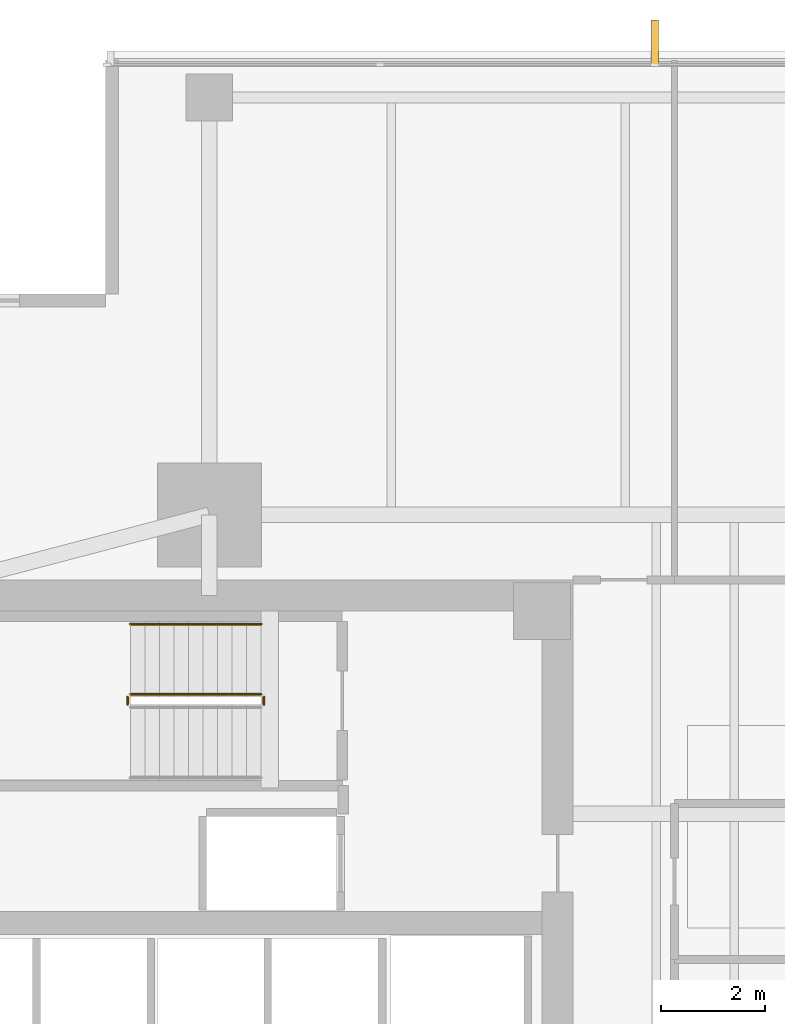
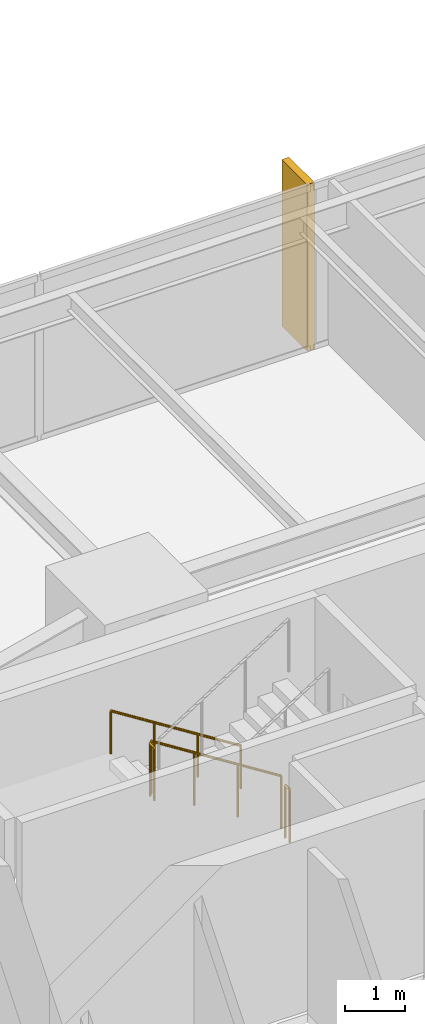
# One storey, part 13 of 14: 4 railings, 1 covering.
"""IFC4 building model written with IfcOpenShell, lengths in metres."""

from ifc_helpers import new_model, si_unit, direction, frame, origin, origin_2d, place, context, subcontext, project, spatial, polyline, circle, outline, extrude, material, layer, layer_set, type_object, element, save


model = new_model("IFC4")

# Units and contexts
model_context = context("Model", 3, precision=1e-05, world=origin(), true_north=direction((0.0, 1.0)))
body_context = subcontext(model_context, "Body", "Model", "MODEL_VIEW")
ifc_project = project(units=[si_unit("LENGTHUNIT", "METRE"), si_unit("AREAUNIT", "SQUARE_METRE"), si_unit("VOLUMEUNIT", "CUBIC_METRE"), si_unit("PLANEANGLEUNIT", "RADIAN"), si_unit("MASSUNIT", "GRAM", prefix="KILO")], contexts=[model_context])

# Site, building, storey
site_placement = place(None, origin())
site = spatial("IfcSite", under=ifc_project, at=site_placement, CompositionType="ELEMENT")
building_placement = place(site_placement, origin())
building = spatial("IfcBuilding", under=site, at=building_placement, Name="Kinhvarn Gate Tower", CompositionType="ELEMENT")
storey_placement = place(building_placement, frame((0.0, 0.0, 123.550048828125)))
storey = spatial("IfcBuildingStorey", under=building, at=storey_placement, Name="L32", CompositionType="ELEMENT", Elevation=123.550048828125)

# Covering
ifc_material_1 = material(Name="Fired architectural terracotta", Category="masonry")
ifc_layer = layer(ifc_material_1, 0.139892578125)
ifc_layer_set = layer_set([ifc_layer], Name="Fired architectural terracotta")
covering_type = type_object("IfcCoveringType", Name="COV-FIN-850", PredefinedType="CLADDING", material=ifc_layer_set)
covering_placement = place(storey_placement, frame((0.0, 0.0, -0.02001953125)))
element("IfcCovering", 1, at=covering_placement, inside=storey, type_object=covering_type, Name="Vertical Terracotta Expressive Fin TFN-850 (L32)", PredefinedType="CLADDING", context=body_context, shape_type="SweptSolid", body=[
    extrude(outline(polyline([(19.641357421875, 46.419921875), (19.50146484375, 46.419921875), (19.50146484375, 47.27001953125), (19.641357421875, 47.27001953125), (19.641357421875, 46.419921875)])), origin(), (0.0, 0.0, 1.0), 3.409912109375),
])

# Railings
ifc_material_2 = material(Name="Steel S355", Category="steel")
railing_type_1 = type_object("IfcRailingType", Name="RL-ST-GRD", PredefinedType="BALUSTRADE", material=ifc_material_2)
railing_1_placement = place(storey_placement, frame((12.0, 34.300048828125, 0.177490234375)))
element("IfcRailing", 2, at=railing_1_placement, inside=storey, type_object=railing_type_1, Name="L32 ST2 stair guard 1", PredefinedType="BALUSTRADE", context=body_context, shape_type="SweptSolid", body=[
    extrude(circle(Radius=0.02392578125, at=origin_2d()), frame((0.0, 0.0, 1.076171875), z_axis=(-0.84460694969, 0.0, 0.535386869969), x_axis=(0.0, -1.0, 0.0)), (0.0, 0.0, 1.0), 2.983642578125),
    extrude(circle(Radius=0.02099609375, at=origin_2d()), origin(), (0.0, 0.0, 1.0), 1.052001953125),
    extrude(circle(Radius=0.02099609375, at=origin_2d()), frame((-0.840087890625, 0.0, 0.532470703125)), (0.0, 0.0, 1.0), 1.052001953125),
    extrude(circle(Radius=0.02099609375, at=origin_2d()), frame((-1.679931640625, 0.0, 1.06494140625)), (0.0, 0.0, 1.0), 1.052001953125),
    extrude(circle(Radius=0.02099609375, at=origin_2d()), frame((-2.52001953125, 0.0, 1.597412109375)), (0.0, 0.0, 1.0), 1.052001953125),
])
for number, where, name in (
    (3, (9.429931640625, 34.25, 1.77490234375), "L32 ST2 stair guard 2"),
    (4, (12.050048828125, 34.25, 0.0), "L32 ST2 stair guard 4"),
):
    element("IfcRailing", number, at=place(storey_placement, frame(where)), inside=storey, type_object=railing_type_1, Name=name, PredefinedType="BALUSTRADE", context=body_context, shape_type="SweptSolid", body=[
        extrude(circle(Radius=0.02392578125, at=origin_2d()), frame((0.0, 0.0, 1.076171875), z_axis=(0.0, -1.0, 0.0), x_axis=(1.0, 0.0, 0.0)), (0.0, 0.0, 1.0), 0.14990234375),
        extrude(circle(Radius=0.02099609375, at=origin_2d()), origin(), (0.0, 0.0, 1.0), 1.052001953125),
        extrude(circle(Radius=0.02099609375, at=origin_2d()), frame((0.0, -0.14990234375, 0.0)), (0.0, 0.0, 1.0), 1.052001953125),
    ])
railing_type_2 = type_object("IfcRailingType", Name="RL-ST-HND", PredefinedType="HANDRAIL", material=ifc_material_2)
railing_2_placement = place(storey_placement, frame((12.0, 35.64990234375, 0.177490234375)))
element("IfcRailing", 5, at=railing_2_placement, inside=storey, type_object=railing_type_2, Name="L32 ST2 stair handrail 1", PredefinedType="HANDRAIL", context=body_context, shape_type="SweptSolid", body=[
    extrude(circle(Radius=0.02392578125, at=origin_2d()), frame((0.0, 0.0, 0.8759765625), z_axis=(-0.84460694969, 0.0, 0.535386869969), x_axis=(0.0, -1.0, 0.0)), (0.0, 0.0, 1.0), 2.983642578125),
    extrude(circle(Radius=0.02099609375, at=origin_2d()), origin(), (0.0, 0.0, 1.0), 0.851806640625),
    extrude(circle(Radius=0.02099609375, at=origin_2d()), frame((-0.840087890625, 0.0, 0.532470703125)), (0.0, 0.0, 1.0), 0.851806640625),
    extrude(circle(Radius=0.02099609375, at=origin_2d()), frame((-1.679931640625, 0.0, 1.06494140625)), (0.0, 0.0, 1.0), 0.851806640625),
    extrude(circle(Radius=0.02099609375, at=origin_2d()), frame((-2.52001953125, 0.0, 1.597412109375)), (0.0, 0.0, 1.0), 0.851806640625),
])

save(model, "model.ifc")
